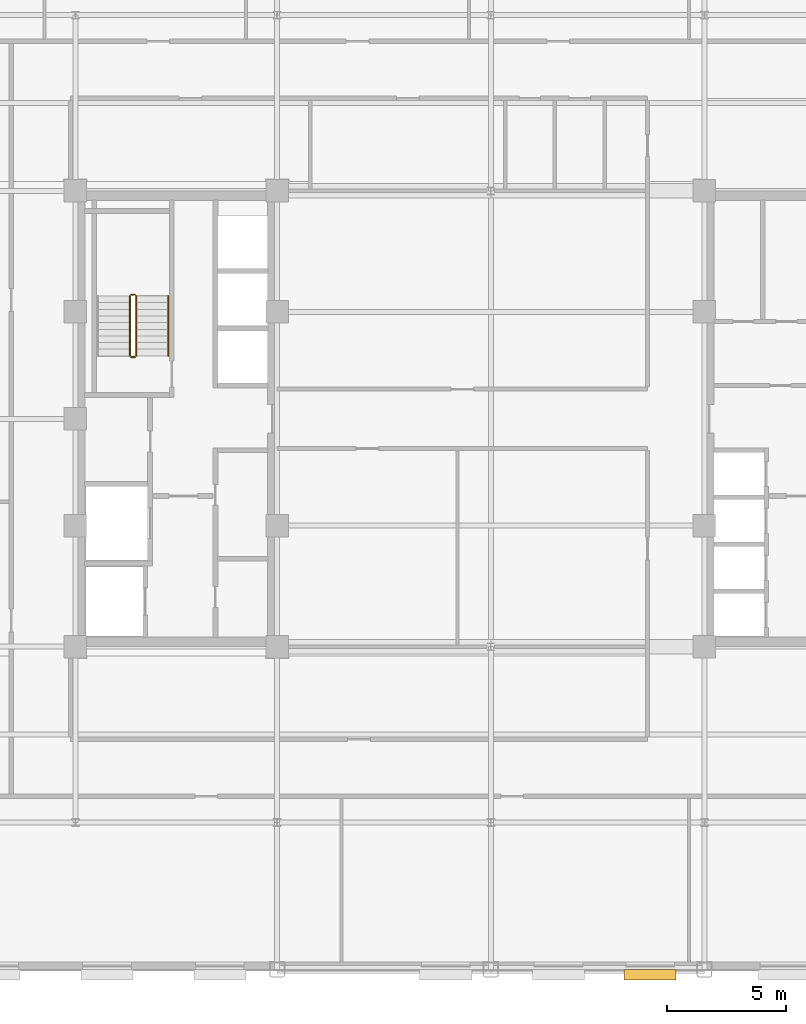
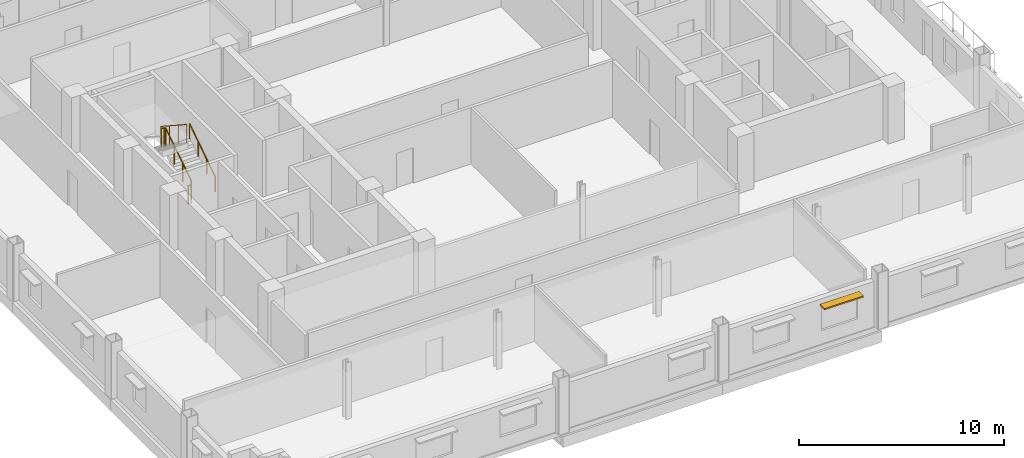
# One storey, part 12 of 14: 5 railings, 1 shading device.
"""IFC4 building model written with IfcOpenShell, lengths in metres."""

from ifc_helpers import new_model, si_unit, direction, frame, origin, origin_2d, place, context, subcontext, project, spatial, rectangle, circle, extrude, source, transform, mapped, material, type_object, type_shapes, element, save


model = new_model("IFC4")

# Units and contexts
model_context = context("Model", 3, precision=1e-05, world=origin(), true_north=direction((0.0, 1.0)))
body_context = subcontext(model_context, "Body", "Model", "MODEL_VIEW")
ifc_project = project(units=[si_unit("LENGTHUNIT", "METRE"), si_unit("AREAUNIT", "SQUARE_METRE"), si_unit("VOLUMEUNIT", "CUBIC_METRE"), si_unit("PLANEANGLEUNIT", "RADIAN"), si_unit("MASSUNIT", "GRAM", prefix="KILO")], contexts=[model_context])

# Site, building, storey
site_placement = place(None, origin())
site = spatial("IfcSite", under=ifc_project, at=site_placement, CompositionType="ELEMENT")
building_placement = place(site_placement, origin())
building = spatial("IfcBuilding", under=site, at=building_placement, Name="Nuvemarco Arch Tower", CompositionType="ELEMENT")
storey_placement = place(building_placement, frame((0.0, 0.0, 171.300048828125)))
storey = spatial("IfcBuildingStorey", under=building, at=storey_placement, Name="L45", CompositionType="ELEMENT", Elevation=171.300048828125)

# Railings
ifc_material_1 = material(Name="Brushed stainless steel handrail", Category="steel")
railing_type_1 = type_object("IfcRailingType", Name="RL-HANDRAIL-900", PredefinedType="HANDRAIL", material=ifc_material_1)
railing_1_placement = place(storey_placement, frame((-13.590087890625, 2.64990234375, 0.182373046875)))
element("IfcRailing", 1, at=railing_1_placement, inside=storey, type_object=railing_type_1, Name="L45 ST-1 stair handrail 1", PredefinedType="HANDRAIL", context=body_context, shape_type="SweptSolid", body=[
    extrude(circle(Radius=0.02392578125, at=origin_2d()), frame((0.0, 0.0, 0.8759765625), z_axis=(0.0, 0.837749427056, 0.546054848405), x_axis=(-1.0, 0.0, 0.0)), (0.0, 0.0, 1.0), 3.008056640625),
    extrude(circle(Radius=0.02099609375, at=origin_2d()), origin(), (0.0, 0.0, 1.0), 0.851806640625),
    extrude(circle(Radius=0.02099609375, at=origin_2d()), frame((0.0, 0.840087890625, 0.547607421875)), (0.0, 0.0, 1.0), 0.851806640625),
    extrude(circle(Radius=0.02099609375, at=origin_2d()), frame((0.0, 1.679931640625, 1.094970703125)), (0.0, 0.0, 1.0), 0.851806640625),
    extrude(circle(Radius=0.02099609375, at=origin_2d()), frame((0.0, 2.52001953125, 1.642578125)), (0.0, 0.0, 1.0), 0.851806640625),
])
ifc_material_2 = material(Name="Painted balustrade steel S355", Category="steel")
railing_type_2 = type_object("IfcRailingType", Name="RL-STAIR-GUARD", PredefinedType="GUARDRAIL", material=ifc_material_2)
railing_2_placement = place(storey_placement, frame((-14.93994140625, 2.64990234375, 0.182373046875)))
element("IfcRailing", 2, at=railing_2_placement, inside=storey, type_object=railing_type_2, Name="L45 ST-1 stair guard 1", PredefinedType="GUARDRAIL", context=body_context, shape_type="SweptSolid", body=[
    extrude(circle(Radius=0.02392578125, at=origin_2d()), frame((0.0, 0.0, 1.09619140625), z_axis=(0.0, 0.837749427056, 0.546054848405), x_axis=(-1.0, 0.0, 0.0)), (0.0, 0.0, 1.0), 3.008056640625),
    extrude(circle(Radius=0.02099609375, at=origin_2d()), origin(), (0.0, 0.0, 1.0), 1.072021484375),
    extrude(circle(Radius=0.02099609375, at=origin_2d()), frame((0.0, 0.840087890625, 0.547607421875)), (0.0, 0.0, 1.0), 1.072021484375),
    extrude(circle(Radius=0.02099609375, at=origin_2d()), frame((0.0, 1.679931640625, 1.094970703125)), (0.0, 0.0, 1.0), 1.072021484375),
    extrude(circle(Radius=0.02099609375, at=origin_2d()), frame((0.0, 2.52001953125, 1.642578125)), (0.0, 0.0, 1.0), 1.072021484375),
])
railing_3_placement = place(storey_placement, frame((-14.989990234375, 5.219970703125, 1.824951171875)))
element("IfcRailing", 3, at=railing_3_placement, inside=storey, type_object=railing_type_2, Name="L45 ST-1 stair guard 2", PredefinedType="GUARDRAIL", context=body_context, shape_type="SweptSolid", body=[
    extrude(circle(Radius=0.02392578125, at=origin_2d()), frame((0.0, 0.0, 1.09619140625), z_axis=(-1.0, 0.0, 0.0), x_axis=(0.0, -1.0, 0.0)), (0.0, 0.0, 1.0), 0.159912109375),
    extrude(circle(Radius=0.02099609375, at=origin_2d()), origin(), (0.0, 0.0, 1.0), 1.072021484375),
    extrude(circle(Radius=0.02099609375, at=origin_2d()), frame((-0.159912109375, 0.0, 0.0)), (0.0, 0.0, 1.0), 1.072021484375),
])
railing_4_placement = place(storey_placement, frame((-15.199951171875, 5.169921875, 2.007568359375)))
element("IfcRailing", 4, at=railing_4_placement, inside=storey, type_object=railing_type_2, Name="L45 ST-1 stair guard 3", PredefinedType="GUARDRAIL", context=body_context, shape_type="SweptSolid", body=[
    extrude(circle(Radius=0.02392578125, at=origin_2d()), frame((0.0, 0.0, 1.09619140625), z_axis=(0.0, -0.837786554691, 0.545997883492), x_axis=(1.0, 0.0, 0.0)), (0.0, 0.0, 1.0), 3.008056640625),
    extrude(circle(Radius=0.02099609375, at=origin_2d()), origin(), (0.0, 0.0, 1.0), 1.072021484375),
    extrude(circle(Radius=0.02099609375, at=origin_2d()), frame((0.0, -0.840087890625, 0.54736328125)), (0.0, 0.0, 1.0), 1.072021484375),
    extrude(circle(Radius=0.02099609375, at=origin_2d()), frame((0.0, -1.679931640625, 1.094970703125)), (0.0, 0.0, 1.0), 1.072021484375),
    extrude(circle(Radius=0.02099609375, at=origin_2d()), frame((0.0, -2.52001953125, 1.642333984375)), (0.0, 0.0, 1.0), 1.072021484375),
])
railing_5_placement = place(storey_placement, frame((-14.989990234375, 2.60009765625, 0.0)))
element("IfcRailing", 5, at=railing_5_placement, inside=storey, type_object=railing_type_2, Name="L45 ST-1 stair guard 4", PredefinedType="GUARDRAIL", context=body_context, shape_type="SweptSolid", body=[
    extrude(circle(Radius=0.02392578125, at=origin_2d()), frame((0.0, 0.0, 1.09619140625), z_axis=(-1.0, 0.0, 0.0), x_axis=(0.0, -1.0, 0.0)), (0.0, 0.0, 1.0), 0.159912109375),
    extrude(circle(Radius=0.02099609375, at=origin_2d()), origin(), (0.0, 0.0, 1.0), 1.072021484375),
    extrude(circle(Radius=0.02099609375, at=origin_2d()), frame((-0.159912109375, 0.0, 0.0)), (0.0, 0.0, 1.0), 1.072021484375),
])

# Shading device
ifc_material_3 = material(Name="Anodised aluminium 6063-T6", Category="aluminium")
shading_device_type = type_object("IfcShadingDeviceType", Name="SHD-BRISE-SOLEIL", PredefinedType="USERDEFINED", material=ifc_material_3)
shared_shape = source(origin(), body_context, "Body", "SweptSolid", [
    extrude(rectangle(XDim=2.199951171875, YDim=0.449951171875, at=origin_2d()), origin(), (0.0, 0.0, 1.0), 0.080078125),
])
type_shapes(shading_device_type, [shared_shape])
shading_device_placement = place(storey_placement, frame((6.711181640625, -23.4150390625, 2.324951171875), z_axis=(0.0, 0.0, 1.0), x_axis=(1.0, 0.0, 0.0)))
element("IfcShadingDevice", 6, at=shading_device_placement, inside=storey, type_object=shading_device_type, Name="L45 horizontal brise-soleil sunshade", ObjectType="SUNSHADE", PredefinedType="USERDEFINED", context=body_context, shape_type="MappedRepresentation", body=[
    mapped(shared_shape, transform((0.0, 0.0, 0.0), scale=1.0)),
])

save(model, "model.ifc")
